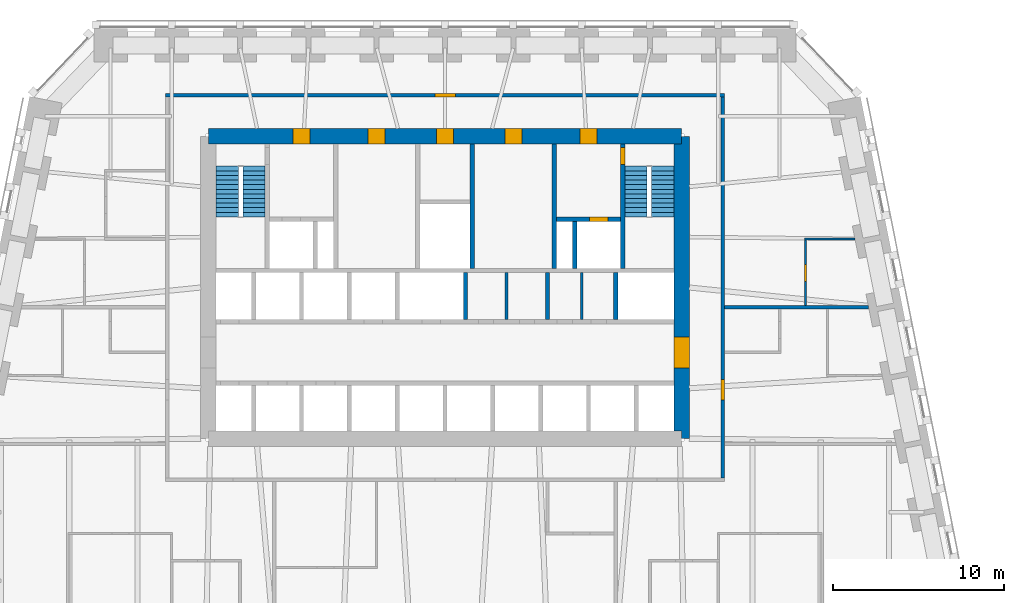
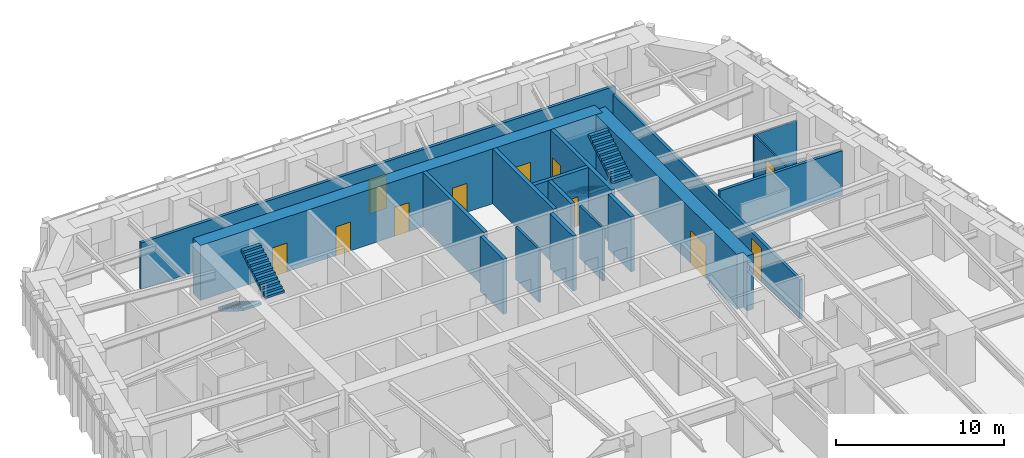
# One storey, part 14 of 16: 17 walls, 11 doors, 4 stair flights, 11 openings, 2 elements without a shape of their own.
"""IFC4 building model written with IfcOpenShell, lengths in metres."""

from ifc_helpers import new_model, si_unit, direction, frame, frame_2d, origin, place, context, subcontext, project, spatial, polyline, rectangle, outline, extrude, material, layer, layer_set, type_object, element, fill, aggregate, save


model = new_model("IFC4")

# Units and contexts
model_context = context("Model", 3, precision=1e-05, world=origin(), true_north=direction((0.0, 1.0)))
body_context = subcontext(model_context, "Body", "Model", "MODEL_VIEW")
ifc_project = project(units=[si_unit("LENGTHUNIT", "METRE"), si_unit("AREAUNIT", "SQUARE_METRE"), si_unit("VOLUMEUNIT", "CUBIC_METRE"), si_unit("PLANEANGLEUNIT", "RADIAN"), si_unit("MASSUNIT", "GRAM", prefix="KILO")], contexts=[model_context])

# Site, building, storey
site_placement = place(None, origin())
site = spatial("IfcSite", under=ifc_project, at=site_placement, CompositionType="ELEMENT")
building_placement = place(site_placement, origin())
building = spatial("IfcBuilding", under=site, at=building_placement, Name="Isbrekke Arena Tower", CompositionType="ELEMENT")
storey_placement = place(building_placement, frame((0.0, 0.0, 44.0)))
storey = spatial("IfcBuildingStorey", under=building, at=storey_placement, Name="L08", CompositionType="ELEMENT", Elevation=44.0)

# Wall, opening, door
ifc_material_1 = material(Name="Concrete B65 (C65/80)", Category="concrete")
ifc_layer_1 = layer(ifc_material_1, 0.89990234375)
ifc_layer_set_1 = layer_set([ifc_layer_1], Name="CW2 CORE WALL 900")
wall_type_1 = type_object("IfcWallType", Name="CW2 CORE WALL 900", PredefinedType="SHEAR", material=ifc_layer_set_1)
wall_1_placement = place(storey_placement, frame((13.85009765625, 6.14990234375, 0.0), z_axis=(0.0, 0.0, 1.0), x_axis=(0.0, 1.0, 0.0)))
wall_1 = element("IfcWall", 1, at=wall_1_placement, inside=storey, type_object=wall_type_1, Name="Core wall E L08", PredefinedType="SHEAR", context=body_context, shape_type="SweptSolid", body=[
    extrude(outline(polyline([(0.0, -0.449951171875), (17.7001953125, -0.449951171875), (17.7001953125, 0.0), (17.250244140625, 0.0), (17.250244140625, 0.449951171875), (0.449951171875, 0.449951171875), (0.449951171875, 0.0), (0.0, 0.0), (0.0, -0.449951171875)])), origin(), (0.0, 0.0, 1.0), 4.0),
])
opening_1_placement = place(wall_1_placement, frame((4.14990234375, 0.0, 0.0)))
opening_1 = element("IfcOpeningElement", 2, at=opening_1_placement, cuts=wall_1, Name="Opening D1", PredefinedType="OPENING", context=body_context, shape_type="SweptSolid", body=[
    extrude(rectangle(XDim=1.800048828125, YDim=2.39990234375, at=frame_2d((0.89990234375, 1.199951171875))), frame((0.0, 0.46484375, 0.0), z_axis=(0.0, -1.0, 0.0), x_axis=(1.0, 0.0, 0.0)), (0.0, 0.0, 1.0), 0.9296875),
])
ifc_material_2 = material(Name="Steel-framed glazed fire door", Category="steel")
door_type_1 = type_object("IfcDoorType", Name="D1 CORE LOBBY DOOR 1800 x 2400", OperationType="DOUBLE_DOOR_SINGLE_SWING", PredefinedType="DOOR", material=ifc_material_2)
door_1_placement = place(opening_1_placement, origin())
door_1 = element("IfcDoor", 3, at=door_1_placement, inside=storey, type_object=door_type_1, Name="D1 lift lobby door east L08", OperationType="DOUBLE_DOOR_SINGLE_SWING", OverallHeight=2.39990234375, OverallWidth=1.800048828125, PredefinedType="DOOR", context=body_context, shape_type="SweptSolid", body=[
    extrude(rectangle(XDim=1.800048828125, YDim=2.39990234375, at=frame_2d((0.89990234375, 1.199951171875))), frame((0.0, 0.44970703125, 0.0), z_axis=(0.0, -1.0, 0.0), x_axis=(1.0, 0.0, 0.0)), (0.0, 0.0, 1.0), 0.8994140625),
])
fill(opening_1, door_1)

# Wall, openings, doors
wall_2_placement = place(storey_placement, frame((13.85009765625, 23.85009765625, 0.0), z_axis=(0.0, 0.0, 1.0), x_axis=(-1.0, 0.0, 0.0)))
wall_2 = element("IfcWall", 4, at=wall_2_placement, inside=storey, type_object=wall_type_1, Name="Core wall N L08", PredefinedType="SHEAR", context=body_context, shape_type="SweptSolid", body=[
    extrude(rectangle(XDim=27.7001953125, YDim=0.89990234375, at=frame_2d((13.85009765625, 0.0))), origin(), (0.0, 0.0, 1.0), 4.0),
])
opening_2_placement = place(wall_2_placement, frame((21.75, 0.0, 0.0)))
opening_2 = element("IfcOpeningElement", 5, at=opening_2_placement, cuts=wall_2, Name="Opening D3", PredefinedType="OPENING", context=body_context, shape_type="SweptSolid", body=[
    extrude(rectangle(XDim=1.0, YDim=2.10009765625, at=frame_2d((0.5, 1.050048828125))), frame((0.0, 0.46484375, 0.0), z_axis=(0.0, -1.0, 0.0), x_axis=(1.0, 0.0, 0.0)), (0.0, 0.0, 1.0), 0.9296875),
])
opening_3_placement = place(wall_2_placement, frame((4.949951171875, 0.0, 0.0)))
opening_3 = element("IfcOpeningElement", 6, at=opening_3_placement, cuts=wall_2, Name="Opening D3", PredefinedType="OPENING", context=body_context, shape_type="SweptSolid", body=[
    extrude(rectangle(XDim=1.0, YDim=2.10009765625, at=frame_2d((0.5, 1.050048828125))), frame((0.0, 0.46484375, 0.0), z_axis=(0.0, -1.0, 0.0), x_axis=(1.0, 0.0, 0.0)), (0.0, 0.0, 1.0), 0.9296875),
])
opening_4_placement = place(wall_2_placement, frame((17.35009765625, 0.0, 0.0)))
opening_4 = element("IfcOpeningElement", 7, at=opening_4_placement, cuts=wall_2, Name="Opening D4", PredefinedType="OPENING", context=body_context, shape_type="SweptSolid", body=[
    extrude(rectangle(XDim=1.0, YDim=2.10009765625, at=frame_2d((0.5, 1.050048828125))), frame((0.0, 0.46484375, 0.0), z_axis=(0.0, -1.0, 0.0), x_axis=(1.0, 0.0, 0.0)), (0.0, 0.0, 1.0), 0.9296875),
])
opening_5_placement = place(wall_2_placement, frame((13.35009765625, 0.0, 0.0)))
opening_5 = element("IfcOpeningElement", 8, at=opening_5_placement, cuts=wall_2, Name="Opening D4", PredefinedType="OPENING", context=body_context, shape_type="SweptSolid", body=[
    extrude(rectangle(XDim=1.0, YDim=2.10009765625, at=frame_2d((0.5, 1.050048828125))), frame((0.0, 0.46484375, 0.0), z_axis=(0.0, -1.0, 0.0), x_axis=(1.0, 0.0, 0.0)), (0.0, 0.0, 1.0), 0.9296875),
])
opening_6_placement = place(wall_2_placement, frame((9.35009765625, 0.0, 0.0)))
opening_6 = element("IfcOpeningElement", 9, at=opening_6_placement, cuts=wall_2, Name="Opening D4", PredefinedType="OPENING", context=body_context, shape_type="SweptSolid", body=[
    extrude(rectangle(XDim=1.0, YDim=2.10009765625, at=frame_2d((0.5, 1.050048828125))), frame((0.0, 0.46484375, 0.0), z_axis=(0.0, -1.0, 0.0), x_axis=(1.0, 0.0, 0.0)), (0.0, 0.0, 1.0), 0.9296875),
])
ifc_material_3 = material(Name="Steel fire door", Category="steel")
door_type_2 = type_object("IfcDoorType", Name="D3 FIRE LOBBY DOOR 1000 x 2100", OperationType="SINGLE_SWING_RIGHT", PredefinedType="DOOR", material=ifc_material_3)
door_2_placement = place(opening_2_placement, origin())
door_2 = element("IfcDoor", 10, at=door_2_placement, inside=storey, type_object=door_type_2, Name="D3 fire-fighting lobby door L08", OperationType="SINGLE_SWING_RIGHT", OverallHeight=2.10009765625, OverallWidth=1.0, PredefinedType="DOOR", context=body_context, shape_type="SweptSolid", body=[
    extrude(rectangle(XDim=1.0, YDim=2.10009765625, at=frame_2d((0.5, 1.050048828125))), frame((0.0, 0.44970703125, 0.0), z_axis=(0.0, -1.0, 0.0), x_axis=(1.0, 0.0, 0.0)), (0.0, 0.0, 1.0), 0.8994140625),
])
fill(opening_2, door_2)
door_3_placement = place(opening_3_placement, origin())
door_3 = element("IfcDoor", 11, at=door_3_placement, inside=storey, type_object=door_type_2, Name="D3 fire-fighting lobby door L08", OperationType="SINGLE_SWING_RIGHT", OverallHeight=2.10009765625, OverallWidth=1.0, PredefinedType="DOOR", context=body_context, shape_type="SweptSolid", body=[
    extrude(rectangle(XDim=1.0, YDim=2.10009765625, at=frame_2d((0.5, 1.050048828125))), frame((0.0, 0.44970703125, 0.0), z_axis=(0.0, -1.0, 0.0), x_axis=(1.0, 0.0, 0.0)), (0.0, 0.0, 1.0), 0.8994140625),
])
fill(opening_3, door_3)
ifc_material_4 = material(Name="Timber door", Category="wood")
door_type_3 = type_object("IfcDoorType", Name="D4 WC DOOR 1000 x 2100", OperationType="SINGLE_SWING_LEFT", PredefinedType="DOOR", material=ifc_material_4)
door_4_placement = place(opening_4_placement, origin())
door_4 = element("IfcDoor", 12, at=door_4_placement, inside=storey, type_object=door_type_3, Name="D4 wc female door L08", OperationType="SINGLE_SWING_LEFT", OverallHeight=2.10009765625, OverallWidth=1.0, PredefinedType="DOOR", context=body_context, shape_type="SweptSolid", body=[
    extrude(rectangle(XDim=1.0, YDim=2.10009765625, at=frame_2d((0.5, 1.050048828125))), frame((0.0, 0.44970703125, 0.0), z_axis=(0.0, -1.0, 0.0), x_axis=(1.0, 0.0, 0.0)), (0.0, 0.0, 1.0), 0.8994140625),
])
fill(opening_4, door_4)
door_5_placement = place(opening_5_placement, origin())
door_5 = element("IfcDoor", 13, at=door_5_placement, inside=storey, type_object=door_type_3, Name="D4 accessible wc door L08", OperationType="SINGLE_SWING_LEFT", OverallHeight=2.10009765625, OverallWidth=1.0, PredefinedType="DOOR", context=body_context, shape_type="SweptSolid", body=[
    extrude(rectangle(XDim=1.0, YDim=2.10009765625, at=frame_2d((0.5, 1.050048828125))), frame((0.0, 0.44970703125, 0.0), z_axis=(0.0, -1.0, 0.0), x_axis=(1.0, 0.0, 0.0)), (0.0, 0.0, 1.0), 0.8994140625),
])
fill(opening_5, door_5)
door_6_placement = place(opening_6_placement, origin())
door_6 = element("IfcDoor", 14, at=door_6_placement, inside=storey, type_object=door_type_3, Name="D4 wc male door L08", OperationType="SINGLE_SWING_LEFT", OverallHeight=2.10009765625, OverallWidth=1.0, PredefinedType="DOOR", context=body_context, shape_type="SweptSolid", body=[
    extrude(rectangle(XDim=1.0, YDim=2.10009765625, at=frame_2d((0.5, 1.050048828125))), frame((0.0, 0.44970703125, 0.0), z_axis=(0.0, -1.0, 0.0), x_axis=(1.0, 0.0, 0.0)), (0.0, 0.0, 1.0), 0.8994140625),
])
fill(opening_6, door_6)

# Walls
ifc_material_5 = material(Name="Concrete B45 (C45/55)", Category="concrete")
ifc_layer_2 = layer(ifc_material_5, 0.25)
ifc_layer_set_2 = layer_set([ifc_layer_2], Name="CW6 SHAFT WALL 250")
wall_type_2 = type_object("IfcWallType", Name="CW6 SHAFT WALL 250", PredefinedType="SHEAR", material=ifc_layer_set_2)
for number, where, z_axis, x_axis, name in (
    (15, (1.199951171875, 13.125, 0.0), (0.0, 0.0, 1.0), (0.0, 1.0, 0.0), "Core wall SN05 L08"),
    (16, (6.0, 13.125, 0.0), (0.0, 0.0, 1.0), (0.0, 1.0, 0.0), "Core wall SN06 L08"),
    (17, (10.0, 13.125, 0.0), (0.0, 0.0, 1.0), (0.0, 1.0, 0.0), "Core wall SN07 L08"),
):
    element("IfcWall", number, at=place(storey_placement, frame(where, z_axis=z_axis, x_axis=x_axis)), inside=storey, type_object=wall_type_2, Name=name, PredefinedType="SHEAR", context=body_context, shape_type="SweptSolid", body=[
        extrude(rectangle(XDim=2.75, YDim=0.25, at=frame_2d((1.375, 0.0))), origin(), (0.0, 0.0, 1.0), 4.0),
    ])
for number, where, z_axis, x_axis, name in (
    (18, (1.60009765625, 16.125, 0.0), (0.0, 0.0, 1.0), (0.0, 1.0, 0.0), "Core wall NV04 L08"),
    (19, (6.39990234375, 16.125, 0.0), (0.0, 0.0, 1.0), (0.0, 1.0, 0.0), "Core wall NV05 L08"),
):
    element("IfcWall", number, at=place(storey_placement, frame(where, z_axis=z_axis, x_axis=x_axis)), inside=storey, type_object=wall_type_2, Name=name, PredefinedType="SHEAR", context=body_context, shape_type="SweptSolid", body=[
        extrude(rectangle(XDim=7.27490234375, YDim=0.25, at=frame_2d((3.637451171875, 0.0))), origin(), (0.0, 0.0, 1.0), 4.0),
    ])

# Wall, opening, door
wall_3_placement = place(storey_placement, frame((10.39990234375, 16.125, 0.0), z_axis=(0.0, 0.0, 1.0), x_axis=(0.0, 1.0, 0.0)))
wall_3 = element("IfcWall", 20, at=wall_3_placement, inside=storey, type_object=wall_type_2, Name="Core wall NV06 L08", PredefinedType="SHEAR", context=body_context, shape_type="SweptSolid", body=[
    extrude(rectangle(XDim=7.27490234375, YDim=0.25, at=frame_2d((3.637451171875, 0.0))), origin(), (0.0, 0.0, 1.0), 4.0),
])
opening_7_placement = place(wall_3_placement, frame((6.074951171875, 0.0, 0.0)))
opening_7 = element("IfcOpeningElement", 21, at=opening_7_placement, cuts=wall_3, Name="Opening D2", PredefinedType="OPENING", context=body_context, shape_type="SweptSolid", body=[
    extrude(rectangle(XDim=1.0, YDim=2.10009765625, at=frame_2d((0.5, 1.050048828125))), frame((0.0, 0.139892578125, 0.0), z_axis=(0.0, -1.0, 0.0), x_axis=(1.0, 0.0, 0.0)), (0.0, 0.0, 1.0), 0.27978515625),
])
ifc_material_6 = material(Name="Steel fire door", Category="steel")
door_type_4 = type_object("IfcDoorType", Name="D2 STAIR DOOR 1000 x 2100", OperationType="SINGLE_SWING_LEFT", PredefinedType="DOOR", material=ifc_material_6)
door_7_placement = place(opening_7_placement, origin())
door_7 = element("IfcDoor", 22, at=door_7_placement, inside=storey, type_object=door_type_4, Name="D2 stair door ST2 L08", OperationType="SINGLE_SWING_LEFT", OverallHeight=2.10009765625, OverallWidth=1.0, PredefinedType="DOOR", context=body_context, shape_type="SweptSolid", body=[
    extrude(rectangle(XDim=1.0, YDim=2.10009765625, at=frame_2d((0.5, 1.050048828125))), frame((0.0, 0.124755859375, 0.0), z_axis=(0.0, -1.0, 0.0), x_axis=(1.0, 0.0, 0.0)), (0.0, 0.0, 1.0), 0.24951171875),
])
fill(opening_7, door_7)

wall_4_placement = place(storey_placement, frame((6.52490234375, 19.0, 0.0), z_axis=(0.0, 0.0, 1.0), x_axis=(1.0, 0.0, 0.0)))
wall_4 = element("IfcWall", 23, at=wall_4_placement, inside=storey, type_object=wall_type_2, Name="Core wall NFE L08", PredefinedType="SHEAR", context=body_context, shape_type="SweptSolid", body=[
    extrude(rectangle(XDim=3.75, YDim=0.25, at=frame_2d((1.875, 0.0))), origin(), (0.0, 0.0, 1.0), 4.0),
])
opening_8_placement = place(wall_4_placement, frame((1.925048828125, 0.0, 0.0)))
opening_8 = element("IfcOpeningElement", 24, at=opening_8_placement, cuts=wall_4, Name="Opening LD2", PredefinedType="OPENING", context=body_context, shape_type="SweptSolid", body=[
    extrude(rectangle(XDim=1.10009765625, YDim=2.10009765625, at=frame_2d((0.550048828125, 1.050048828125))), frame((0.0, 0.139892578125, 0.0), z_axis=(0.0, -1.0, 0.0), x_axis=(1.0, 0.0, 0.0)), (0.0, 0.0, 1.0), 0.27978515625),
])
ifc_material_7 = material(Name="Stainless steel lift landing door", Category="steel")
door_type_5 = type_object("IfcDoorType", Name="LD2 FIRE-FIGHTING LIFT LANDING DOOR 1100 x 2100", OperationType="SLIDING_TO_RIGHT", PredefinedType="DOOR", material=ifc_material_7)
door_8_placement = place(opening_8_placement, origin())
door_8 = element("IfcDoor", 25, at=door_8_placement, inside=storey, type_object=door_type_5, Name="LD2 lift landing door LF L08", OperationType="SLIDING_TO_RIGHT", OverallHeight=2.10009765625, OverallWidth=1.10009765625, PredefinedType="DOOR", context=body_context, shape_type="SweptSolid", body=[
    extrude(rectangle(XDim=1.10009765625, YDim=2.10009765625, at=frame_2d((0.550048828125, 1.050048828125))), frame((0.0, 0.124755859375, 0.0), z_axis=(0.0, -1.0, 0.0), x_axis=(1.0, 0.0, 0.0)), (0.0, 0.0, 1.0), 0.24951171875),
])
fill(opening_8, door_8)

# Walls
wall_5_placement = place(storey_placement, frame((7.60009765625, 16.125, 0.0), z_axis=(0.0, 0.0, 1.0), x_axis=(0.0, 1.0, 0.0)))
element("IfcWall", 26, at=wall_5_placement, inside=storey, type_object=wall_type_2, Name="Core wall NFS2 L08", PredefinedType="SHEAR", context=body_context, shape_type="SweptSolid", body=[
    extrude(rectangle(XDim=2.75, YDim=0.25, at=frame_2d((1.375, 0.0))), origin(), (0.0, 0.0, 1.0), 4.0),
])
ifc_material_8 = material(Name="Frameless glazed partition, laminated acoustic glass", Category="glass")
ifc_layer_3 = layer(ifc_material_8, 0.1201171875)
ifc_layer_set_3 = layer_set([ifc_layer_3], Name="IW2 GLAZED PARTITION 120")
wall_type_3 = type_object("IfcWallType", Name="IW2 GLAZED PARTITION 120", PredefinedType="PARTITIONING", material=ifc_layer_set_3)
wall_6_placement = place(storey_placement, frame((21.0400390625, 17.840087890625, 0.0), z_axis=(0.0, 0.0, 1.0), x_axis=(1.0, 0.0, 0.0)))
element("IfcWall", 27, at=wall_6_placement, inside=storey, type_object=wall_type_3, Name="IW2 glazed partition 120 L08", PredefinedType="PARTITIONING", context=body_context, shape_type="SweptSolid", body=[
    extrude(rectangle(XDim=2.956298828125, YDim=0.1201171875, at=frame_2d((1.47802734375, 0.0))), origin(), (0.0, 0.0, 1.0), 3.25),
])

# Wall, opening, door
wall_7_placement = place(storey_placement, frame((21.10009765625, 13.93994140625, 0.0), z_axis=(0.0, 0.0, 1.0), x_axis=(0.0, 1.0, 0.0)))
wall_7 = element("IfcWall", 28, at=wall_7_placement, inside=storey, type_object=wall_type_3, Name="IW2 glazed partition 120 L08", PredefinedType="PARTITIONING", context=body_context, shape_type="SweptSolid", body=[
    extrude(rectangle(XDim=3.840087890625, YDim=0.1201171875, at=frame_2d((1.919921875, 0.0))), origin(), (0.0, 0.0, 1.0), 3.25),
])
opening_9_placement = place(wall_7_placement, frame((1.39990234375, 0.0, 0.0)))
opening_9 = element("IfcOpeningElement", 29, at=opening_9_placement, cuts=wall_7, Name="Opening D11", PredefinedType="OPENING", context=body_context, shape_type="SweptSolid", body=[
    extrude(rectangle(XDim=1.0, YDim=2.39990234375, at=frame_2d((0.5, 1.199951171875))), frame((0.0, 0.074951171875, 0.0), z_axis=(0.0, -1.0, 0.0), x_axis=(1.0, 0.0, 0.0)), (0.0, 0.0, 1.0), 0.14990234375),
])
ifc_material_9 = material(Name="Frameless glazed door", Category="glass")
door_type_6 = type_object("IfcDoorType", Name="D11 GLAZED MEETING ROOM DOOR 1000 x 2400", OperationType="SINGLE_SWING_RIGHT", PredefinedType="DOOR", material=ifc_material_9)
door_9_placement = place(opening_9_placement, origin())
door_9 = element("IfcDoor", 30, at=door_9_placement, inside=storey, type_object=door_type_6, Name="D11 meeting room door L08", OperationType="SINGLE_SWING_RIGHT", OverallHeight=2.39990234375, OverallWidth=1.0, PredefinedType="DOOR", context=body_context, shape_type="SweptSolid", body=[
    extrude(rectangle(XDim=1.0, YDim=2.39990234375, at=frame_2d((0.5, 1.199951171875))), frame((0.0, 0.059814453125, 0.0), z_axis=(0.0, -1.0, 0.0), x_axis=(1.0, 0.0, 0.0)), (0.0, 0.0, 1.0), 0.11962890625),
])
fill(opening_9, door_9)

# Wall
ifc_material_10 = material(Name="Gypsum board fire-cell wall on steel studs, two layers each side", Category="steel")
ifc_layer_4 = layer(ifc_material_10, 0.199951171875)
ifc_layer_set_4 = layer_set([ifc_layer_4], Name="IW3 FIRE-CELL WALL 200")
wall_type_4 = type_object("IfcWallType", Name="IW3 FIRE-CELL WALL 200", PredefinedType="PARTITIONING", material=ifc_layer_set_4)
wall_8_placement = place(storey_placement, frame((16.35009765625, 13.840087890625, 0.0), z_axis=(0.0, 0.0, 1.0), x_axis=(1.0, 0.0, 0.0)))
element("IfcWall", 31, at=wall_8_placement, inside=storey, type_object=wall_type_4, Name="IW3 fire-cell wall 200 L08", PredefinedType="PARTITIONING", context=body_context, shape_type="SweptSolid", body=[
    extrude(rectangle(XDim=8.4462890625, YDim=0.199951171875, at=frame_2d((4.22314453125, 0.0))), origin(), (0.0, 0.0, 1.0), 3.25),
])

# Wall, opening, door
wall_9_placement = place(storey_placement, frame((-16.35009765625, 26.25, 0.0), z_axis=(0.0, 0.0, 1.0), x_axis=(1.0, 0.0, 0.0)))
wall_9 = element("IfcWall", 32, at=wall_9_placement, inside=storey, type_object=wall_type_4, Name="IW3 fire-cell wall 200 L08", PredefinedType="PARTITIONING", context=body_context, shape_type="SweptSolid", body=[
    extrude(rectangle(XDim=32.7001953125, YDim=0.199951171875, at=frame_2d((16.35009765625, 0.0))), origin(), (0.0, 0.0, 1.0), 3.39990234375),
])
opening_10_placement = place(wall_9_placement, frame((15.75, 0.0, 0.0)))
opening_10 = element("IfcOpeningElement", 33, at=opening_10_placement, cuts=wall_9, Name="Opening D12", PredefinedType="OPENING", context=body_context, shape_type="SweptSolid", body=[
    extrude(rectangle(XDim=1.199951171875, YDim=2.39990234375, at=frame_2d((0.60009765625, 1.199951171875))), frame((0.0, 0.11474609375, 0.0), z_axis=(0.0, -1.0, 0.0), x_axis=(1.0, 0.0, 0.0)), (0.0, 0.0, 1.0), 0.229736328125),
])
ifc_material_11 = material(Name="Timber fire door with vision panel", Category="wood")
door_type_7 = type_object("IfcDoorType", Name="D12 SUITE ENTRANCE DOOR 1200 x 2400", OperationType="SINGLE_SWING_LEFT", PredefinedType="DOOR", material=ifc_material_11)
door_10_placement = place(opening_10_placement, origin())
door_10 = element("IfcDoor", 34, at=door_10_placement, inside=storey, type_object=door_type_7, Name="D12 suite entrance N door L08", OperationType="SINGLE_SWING_LEFT", OverallHeight=2.39990234375, OverallWidth=1.199951171875, PredefinedType="DOOR", context=body_context, shape_type="SweptSolid", body=[
    extrude(rectangle(XDim=1.199951171875, YDim=2.39990234375, at=frame_2d((0.60009765625, 1.199951171875))), frame((0.0, 0.099609375, 0.0), z_axis=(0.0, -1.0, 0.0), x_axis=(1.0, 0.0, 0.0)), (0.0, 0.0, 1.0), 0.199462890625),
])
fill(opening_10, door_10)

wall_10_placement = place(storey_placement, frame((16.25, 3.85009765625, 0.0), z_axis=(0.0, 0.0, 1.0), x_axis=(0.0, 1.0, 0.0)))
wall_10 = element("IfcWall", 35, at=wall_10_placement, inside=storey, type_object=wall_type_4, Name="IW3 fire-cell wall 200 L08", PredefinedType="PARTITIONING", context=body_context, shape_type="SweptSolid", body=[
    extrude(rectangle(XDim=22.2998046875, YDim=0.199951171875, at=frame_2d((11.14990234375, 0.0))), origin(), (0.0, 0.0, 1.0), 2.842041015625),
])
opening_11_placement = place(wall_10_placement, frame((4.550048828125, 0.0, 0.0)))
opening_11 = element("IfcOpeningElement", 36, at=opening_11_placement, cuts=wall_10, Name="Opening D12", PredefinedType="OPENING", context=body_context, shape_type="SweptSolid", body=[
    extrude(rectangle(XDim=1.199951171875, YDim=2.39990234375, at=frame_2d((0.60009765625, 1.199951171875))), frame((0.0, 0.11474609375, 0.0), z_axis=(0.0, -1.0, 0.0), x_axis=(1.0, 0.0, 0.0)), (0.0, 0.0, 1.0), 0.229736328125),
])
door_11_placement = place(opening_11_placement, origin())
door_11 = element("IfcDoor", 37, at=door_11_placement, inside=storey, type_object=door_type_7, Name="D12 suite entrance E door L08", OperationType="SINGLE_SWING_LEFT", OverallHeight=2.39990234375, OverallWidth=1.199951171875, PredefinedType="DOOR", context=body_context, shape_type="SweptSolid", body=[
    extrude(rectangle(XDim=1.199951171875, YDim=2.39990234375, at=frame_2d((0.60009765625, 1.199951171875))), frame((0.0, 0.099609375, 0.0), z_axis=(0.0, -1.0, 0.0), x_axis=(1.0, 0.0, 0.0)), (0.0, 0.0, 1.0), 0.199462890625),
])
fill(opening_11, door_11)

# Walls
ifc_material_12 = material(Name="Gypsum board fire-rated partition on steel studs, two layers each side", Category="steel")
ifc_layer_5 = layer(ifc_material_12, 0.14990234375)
ifc_layer_set_5 = layer_set([ifc_layer_5], Name="IW5 FIRE-RATED PARTITION 150")
wall_type_5 = type_object("IfcWallType", Name="IW5 FIRE-RATED PARTITION 150", PredefinedType="PARTITIONING", material=ifc_layer_set_5)
for number, where, z_axis, x_axis, name in (
    (38, (3.60009765625, 13.125, 0.0), (0.0, 0.0, 1.0), (0.0, 1.0, 0.0), "IW5 fire-rated partition L08 core service rooms 1"),
    (39, (8.0, 13.125, 0.0), (0.0, 0.0, 1.0), (0.0, 1.0, 0.0), "IW5 fire-rated partition L08 core service rooms 2"),
):
    element("IfcWall", number, at=place(storey_placement, frame(where, z_axis=z_axis, x_axis=x_axis)), inside=storey, type_object=wall_type_5, Name=name, PredefinedType="PARTITIONING", context=body_context, shape_type="SweptSolid", body=[
        extrude(rectangle(XDim=2.75, YDim=0.14990234375, at=frame_2d((1.375, 0.0))), origin(), (0.0, 0.0, 1.0), 3.85009765625),
    ])

# Stair, stair flights
ifc_material_13 = material(Name="Concrete B45 (C45/55) precast", Category="concrete")
stair_type = type_object("IfcStairType", Name="ST40 STAIR 1300 WIDE, 24 RISERS 167", PredefinedType="HALF_TURN_STAIR", material=ifc_material_13)
stair_1_placement = place(storey_placement, origin())
stair_1 = element("IfcStair", 40, at=stair_1_placement, inside=storey, type_object=stair_type, Name="ST1 stair L08", PredefinedType="HALF_TURN_STAIR")
ifc_material_14 = material(Name="Concrete B45 (C45/55) precast", Category="concrete")
stair_flight_type = type_object("IfcStairFlightType", Name="SF 1300 FLIGHT", PredefinedType="STRAIGHT", material=ifc_material_14)
stair_flight_1_placement = place(storey_placement, frame((-12.75, 22.10009765625, 0.0), z_axis=(0.0, 0.0, 1.0), x_axis=(0.0, -1.0, 0.0)))
stair_flight_1 = element("IfcStairFlight", 41, at=stair_flight_1_placement, type_object=stair_flight_type, Name="ST1 flight 1", NumberOfRisers=12, NumberOfTreads=11, PredefinedType="STRAIGHT", RiserHeight=0.166666667, TreadLength=0.27, context=body_context, shape_type="SweptSolid", body=[
    extrude(outline(polyline([(0.0, 0.0), (0.0, 0.166748046875), (0.27001953125, 0.166748046875), (0.27001953125, 0.333251953125), (0.5400390625, 0.333251953125), (0.5400390625, 0.5), (0.81005859375, 0.5), (0.81005859375, 0.666748046875), (1.080078125, 0.666748046875), (1.080078125, 0.833251953125), (1.35009765625, 0.833251953125), (1.35009765625, 1.0), (1.6201171875, 1.0), (1.6201171875, 1.166748046875), (1.889892578125, 1.166748046875), (1.889892578125, 1.333251953125), (2.159912109375, 1.333251953125), (2.159912109375, 1.5), (2.429931640625, 1.5), (2.429931640625, 1.666748046875), (2.699951171875, 1.666748046875), (2.699951171875, 1.833251953125), (2.969970703125, 1.833251953125), (2.969970703125, 2.0), (2.969970703125, 1.6572265625), (0.285400390625, 0.0), (0.0, 0.0)])), frame((0.0, 0.64990234375, 0.0), z_axis=(0.0, -1.0, 0.0), x_axis=(1.0, 0.0, 0.0)), (0.0, 0.0, 1.0), 1.300048828125),
])
stair_flight_2_placement = place(storey_placement, frame((-11.175048828125, 19.1298828125, 2.0), z_axis=(0.0, 0.0, 1.0), x_axis=(0.0, 1.0, 0.0)))
stair_flight_2 = element("IfcStairFlight", 42, at=stair_flight_2_placement, type_object=stair_flight_type, Name="ST1 flight 2", NumberOfRisers=12, NumberOfTreads=11, PredefinedType="STRAIGHT", RiserHeight=0.166666667, TreadLength=0.27, context=body_context, shape_type="SweptSolid", body=[
    extrude(outline(polyline([(0.0, 0.0), (0.0, 0.166748046875), (0.27001953125, 0.166748046875), (0.27001953125, 0.333251953125), (0.5400390625, 0.333251953125), (0.5400390625, 0.5), (0.81005859375, 0.5), (0.81005859375, 0.666748046875), (1.080078125, 0.666748046875), (1.080078125, 0.833251953125), (1.35009765625, 0.833251953125), (1.35009765625, 1.0), (1.6201171875, 1.0), (1.6201171875, 1.166748046875), (1.889892578125, 1.166748046875), (1.889892578125, 1.333251953125), (2.159912109375, 1.333251953125), (2.159912109375, 1.5), (2.429931640625, 1.5), (2.429931640625, 1.666748046875), (2.699951171875, 1.666748046875), (2.699951171875, 1.833251953125), (2.969970703125, 1.833251953125), (2.969970703125, 2.0), (2.969970703125, 1.6572265625), (0.285400390625, 0.0), (0.0, 0.0)])), frame((0.0, 0.64990234375, 0.0), z_axis=(0.0, -1.0, 0.0), x_axis=(1.0, 0.0, 0.0)), (0.0, 0.0, 1.0), 1.300048828125),
])
aggregate(stair_1, [stair_flight_1, stair_flight_2])

stair_2_placement = place(storey_placement, origin())
stair_2 = element("IfcStair", 43, at=stair_2_placement, inside=storey, type_object=stair_type, Name="ST2 stair L08", PredefinedType="HALF_TURN_STAIR")
stair_flight_3_placement = place(storey_placement, frame((11.175048828125, 22.10009765625, 0.0), z_axis=(0.0, 0.0, 1.0), x_axis=(0.0, -1.0, 0.0)))
stair_flight_3 = element("IfcStairFlight", 44, at=stair_flight_3_placement, type_object=stair_flight_type, Name="ST2 flight 1", NumberOfRisers=12, NumberOfTreads=11, PredefinedType="STRAIGHT", RiserHeight=0.166666667, TreadLength=0.27, context=body_context, shape_type="SweptSolid", body=[
    extrude(outline(polyline([(0.0, 0.0), (0.0, 0.166748046875), (0.27001953125, 0.166748046875), (0.27001953125, 0.333251953125), (0.5400390625, 0.333251953125), (0.5400390625, 0.5), (0.81005859375, 0.5), (0.81005859375, 0.666748046875), (1.080078125, 0.666748046875), (1.080078125, 0.833251953125), (1.35009765625, 0.833251953125), (1.35009765625, 1.0), (1.6201171875, 1.0), (1.6201171875, 1.166748046875), (1.889892578125, 1.166748046875), (1.889892578125, 1.333251953125), (2.159912109375, 1.333251953125), (2.159912109375, 1.5), (2.429931640625, 1.5), (2.429931640625, 1.666748046875), (2.699951171875, 1.666748046875), (2.699951171875, 1.833251953125), (2.969970703125, 1.833251953125), (2.969970703125, 2.0), (2.969970703125, 1.6572265625), (0.285400390625, 0.0), (0.0, 0.0)])), frame((0.0, 0.64990234375, 0.0), z_axis=(0.0, -1.0, 0.0), x_axis=(1.0, 0.0, 0.0)), (0.0, 0.0, 1.0), 1.300048828125),
])
stair_flight_4_placement = place(storey_placement, frame((12.75, 19.1298828125, 2.0), z_axis=(0.0, 0.0, 1.0), x_axis=(0.0, 1.0, 0.0)))
stair_flight_4 = element("IfcStairFlight", 45, at=stair_flight_4_placement, type_object=stair_flight_type, Name="ST2 flight 2", NumberOfRisers=12, NumberOfTreads=11, PredefinedType="STRAIGHT", RiserHeight=0.166666667, TreadLength=0.27, context=body_context, shape_type="SweptSolid", body=[
    extrude(outline(polyline([(0.0, 0.0), (0.0, 0.166748046875), (0.27001953125, 0.166748046875), (0.27001953125, 0.333251953125), (0.5400390625, 0.333251953125), (0.5400390625, 0.5), (0.81005859375, 0.5), (0.81005859375, 0.666748046875), (1.080078125, 0.666748046875), (1.080078125, 0.833251953125), (1.35009765625, 0.833251953125), (1.35009765625, 1.0), (1.6201171875, 1.0), (1.6201171875, 1.166748046875), (1.889892578125, 1.166748046875), (1.889892578125, 1.333251953125), (2.159912109375, 1.333251953125), (2.159912109375, 1.5), (2.429931640625, 1.5), (2.429931640625, 1.666748046875), (2.699951171875, 1.666748046875), (2.699951171875, 1.833251953125), (2.969970703125, 1.833251953125), (2.969970703125, 2.0), (2.969970703125, 1.6572265625), (0.285400390625, 0.0), (0.0, 0.0)])), frame((0.0, 0.64990234375, 0.0), z_axis=(0.0, -1.0, 0.0), x_axis=(1.0, 0.0, 0.0)), (0.0, 0.0, 1.0), 1.300048828125),
])
aggregate(stair_2, [stair_flight_3, stair_flight_4])

save(model, "model.ifc")
